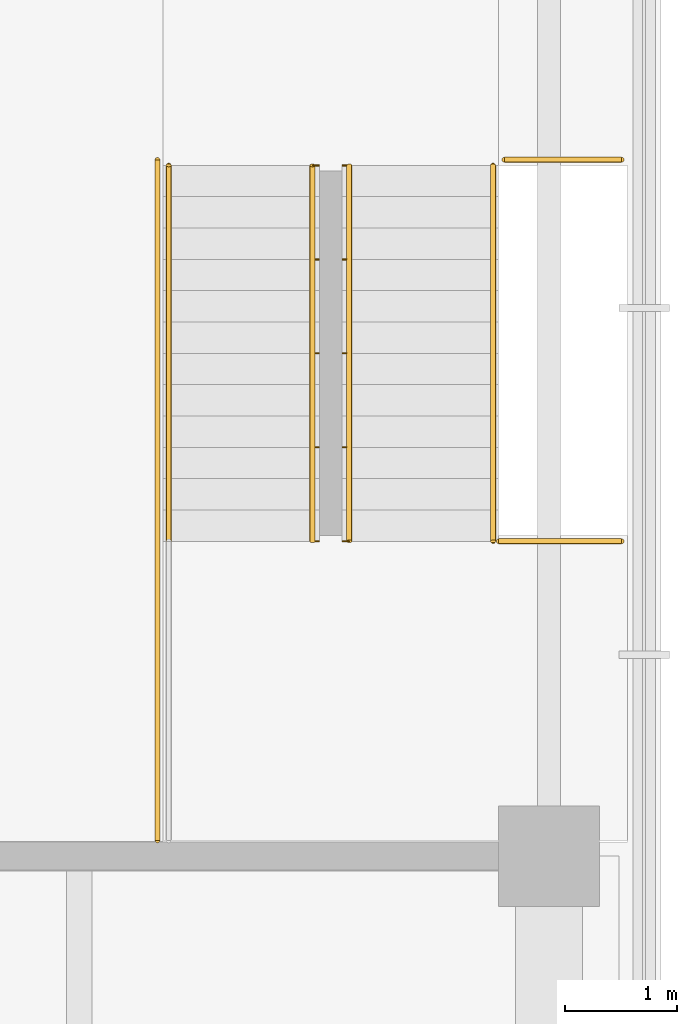
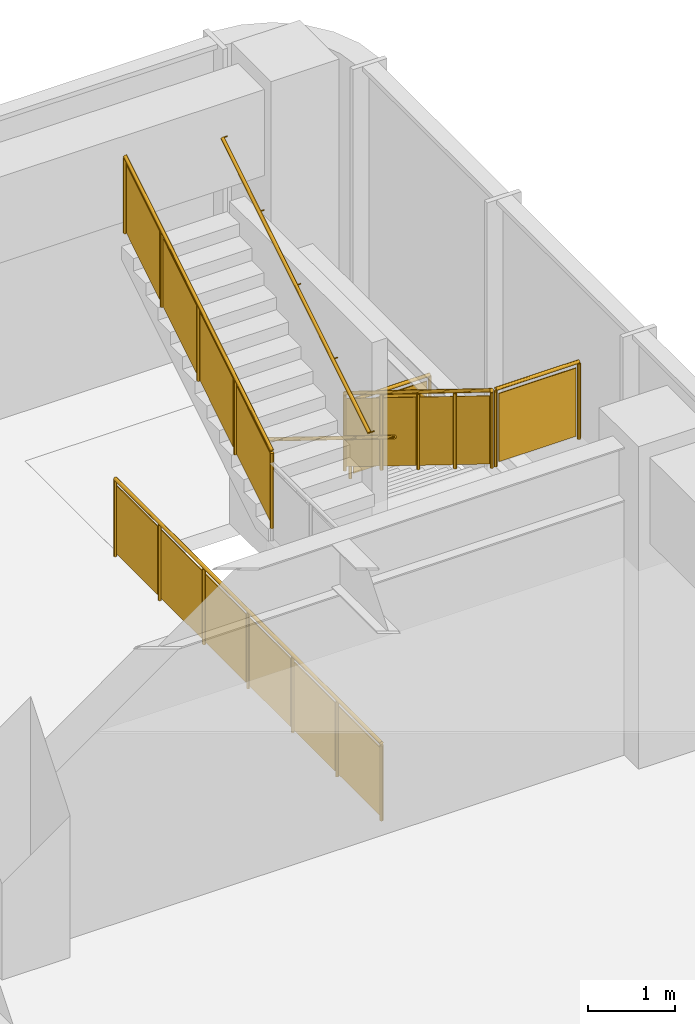
# One storey, part 19 of 19: 7 railings.
"""IFC4 building model written with IfcOpenShell, lengths in metres."""

import ifcopenshell
import ifcopenshell.guid

model = None  # the IFC model being written
_history = None  # IfcOwnerHistory: only IFC2X3 demands one
_inside = {}  # id of a spatial element -> (the spatial element, [elements in it])
_under = {}  # id of a project, library or spatial element -> (it, [spatial elements below it])
_declared = {}  # id of a project -> (the project, [libraries it declares])
_typed = {}  # id of a type object -> (the type object, [elements of that type])
_made_of = {}  # id of a material, layer set ... -> (it, [elements and type objects made of it])


def new_model(schema):
    """Start an empty IFC model of exactly this schema.

    Asked for "IFC4X3", IfcOpenShell would pick the latest addendum, in which some entities
    have other attributes; the version numbers below select the first issue.
    IFC2X3 requires an IfcOwnerHistory on every rooted entity: one is made here for all.
    """
    global model, _history
    if schema == "IFC4X3":
        model = ifcopenshell.file(schema_version=(4, 3, 0, 0))
    else:
        model = ifcopenshell.file(schema=schema)
    _inside.clear()
    _under.clear()
    _declared.clear()
    _typed.clear()
    _made_of.clear()
    _history = None
    if model.schema == "IFC2X3":
        org = make("IfcOrganization", Name="unknown")
        user = make(
            "IfcPersonAndOrganization",
            ThePerson=make("IfcPerson", FamilyName="unknown"),
            TheOrganization=org,
        )
        app = make(
            "IfcApplication",
            ApplicationDeveloper=org,
            Version="unknown",
            ApplicationFullName="unknown",
            ApplicationIdentifier="unknown",
        )
        _history = make(
            "IfcOwnerHistory",
            OwningUser=user,
            OwningApplication=app,
            ChangeAction="ADDED",
            CreationDate=0,
        )
    return model


def make(cls, **values):
    """One entity of the class cls with the attributes given. An attribute that is None is left unset."""
    return model.create_entity(
        cls, **{name: value for name, value in values.items() if value is not None}
    )


def rooted(cls, **values):
    """An entity with a GlobalId (a new one), such as an element, a storey or a relation."""
    return make(cls, GlobalId=ifcopenshell.guid.new(), OwnerHistory=_history, **values)


def si_unit(unit_type, name, prefix=None):
    """IfcSIUnit, for example si_unit("LENGTHUNIT", "METRE", prefix="MILLI")."""
    return make("IfcSIUnit", UnitType=unit_type, Prefix=prefix, Name=name)


def assignment(units):
    """IfcUnitAssignment: the units of a project."""
    return None if units is None else make("IfcUnitAssignment", Units=units)


def point(xyz):
    """IfcCartesianPoint."""
    return None if xyz is None else make("IfcCartesianPoint", Coordinates=xyz)


def direction(xyz):
    """IfcDirection."""
    return None if xyz is None else make("IfcDirection", DirectionRatios=xyz)


def frame(location, z_axis=None, x_axis=None):
    """IfcAxis2Placement3D, a coordinate frame: its origin and axes. An axis left out is left unset."""
    return make(
        "IfcAxis2Placement3D",
        Location=point(location),
        Axis=direction(z_axis),
        RefDirection=direction(x_axis),
    )


def frame_2d(location, x_axis=None):
    """IfcAxis2Placement2D, a coordinate frame in the plane: its origin and x axis."""
    return make(
        "IfcAxis2Placement2D", Location=point(location), RefDirection=direction(x_axis)
    )


def origin():
    """The frame at (0, 0, 0) with its axes left unset."""
    return frame((0.0, 0.0, 0.0))


def origin_2d():
    """The frame at (0, 0) in the plane with its x axis left unset."""
    return frame_2d((0.0, 0.0))


def place(relative_to, where):
    """IfcLocalPlacement: puts the frame where relative to a parent placement (None: the world)."""
    return make(
        "IfcLocalPlacement", PlacementRelTo=relative_to, RelativePlacement=where
    )


def context(
    kind, dimensions, precision=None, world=None, true_north=None, identifier=None
):
    """IfcGeometricRepresentationContext, for example the 3D "Model" context."""
    return make(
        "IfcGeometricRepresentationContext",
        ContextIdentifier=identifier,
        ContextType=kind,
        CoordinateSpaceDimension=dimensions,
        Precision=precision,
        WorldCoordinateSystem=world,
        TrueNorth=true_north,
    )


def subcontext(parent, identifier, kind, view, scale=None):
    """IfcGeometricRepresentationSubContext, for example "Body" below "Model"."""
    return make(
        "IfcGeometricRepresentationSubContext",
        ContextIdentifier=identifier,
        ContextType=kind,
        ParentContext=parent,
        TargetScale=scale,
        TargetView=view,
    )


def project(units=None, contexts=None):
    """IfcProject with its units and contexts."""
    return rooted(
        "IfcProject",
        Name="project",
        RepresentationContexts=contexts,
        UnitsInContext=assignment(units),
    )


def spatial(cls, under=None, at=None, **own):
    """A site, building, storey or space (cls), placed at a placement, below another one or the project."""
    s = rooted(cls, ObjectPlacement=at, **own)
    if under is not None:
        _under.setdefault(under.id(), (under, []))[1].append(s)
    return s


def polyline(points):
    """IfcPolyline through the points."""
    return make("IfcPolyline", Points=[point(p) for p in points])


def profile(cls, at=None, kind="AREA", **sizes):
    """A parametric profile (cls). Its sizes go by their IFC names, for example OverallWidth=200.0."""
    return make(cls, ProfileType=kind, Position=at, **sizes)


def circle(**sizes):
    """IfcCircleProfileDef."""
    return profile("IfcCircleProfileDef", **sizes)


def outline(outer, holes=None, kind="AREA"):
    """IfcArbitraryClosedProfileDef: a profile drawn as a closed curve; with holes, ...WithVoids."""
    if holes is None:
        return make("IfcArbitraryClosedProfileDef", ProfileType=kind, OuterCurve=outer)
    return make(
        "IfcArbitraryProfileDefWithVoids",
        ProfileType=kind,
        OuterCurve=outer,
        InnerCurves=holes,
    )


def extrude(swept, where, along, depth):
    """IfcExtrudedAreaSolid: the profile swept, set in the frame where, extruded along a direction by depth."""
    return make(
        "IfcExtrudedAreaSolid",
        SweptArea=swept,
        Position=where,
        ExtrudedDirection=direction(along),
        Depth=depth,
    )


def shape(context_of_items, identifier, shape_type, items):
    """IfcShapeRepresentation: the items that make up one representation, for example the "Body"."""
    return make(
        "IfcShapeRepresentation",
        ContextOfItems=context_of_items,
        RepresentationIdentifier=identifier,
        RepresentationType=shape_type,
        Items=items,
    )


def material(Name=None, Category=None):
    """IfcMaterial."""
    return make("IfcMaterial", Name=Name, Category=Category)


def made_of(thing, what):
    """Note that an element or type object is made of a material, layer set ...; save() writes the relation."""
    if what is not None:
        _made_of.setdefault(what.id(), (what, []))[1].append(thing)
    return thing


def type_object(cls, material=None, **own):
    """A type object (cls), such as IfcWallType, which elements share."""
    return made_of(rooted(cls, **own), material)


def element(
    cls,
    number,
    at=None,
    inside=None,
    cuts=None,
    type_object=None,
    material=None,
    context=None,
    identifier="Body",
    shape_type=None,
    held_by="IfcProductDefinitionShape",
    body=None,
    shapes=None,
    **own,
):
    """One element of the class cls, such as IfcWall. Its Tag is "e" and its number.

    at: its placement. inside: the storey or other place that contains it. cuts: it is an
    opening in that element (IfcRelVoidsElement). A single representation is given by context,
    identifier, shape_type and body (its items); several are given by shapes. held_by: the class
    of the entity that holds the representations. save() writes the other relations.
    """
    e = rooted(cls, Tag="e%d" % number, ObjectPlacement=at, **own)
    if body is not None:
        shapes = [shape(context, identifier, shape_type, body)]
    if shapes is not None:
        e.Representation = make(held_by, Representations=shapes)
    if inside is not None:
        _inside.setdefault(inside.id(), (inside, []))[1].append(e)
    if cuts is not None:
        rooted(
            "IfcRelVoidsElement", RelatingBuildingElement=cuts, RelatedOpeningElement=e
        )
    if type_object is not None:
        _typed.setdefault(type_object.id(), (type_object, []))[1].append(e)
    return made_of(e, material)


def aggregate(whole, parts):
    """IfcRelAggregates: a whole, such as a stair, and the parts it consists of."""
    return rooted("IfcRelAggregates", RelatingObject=whole, RelatedObjects=parts)


def save(model, path):
    """Write the relations noted so far, then the file.

    IfcRelAggregates (storeys below a building ...), IfcRelContainedInSpatialStructure (elements
    in a storey), IfcRelDefinesByType, IfcRelAssociatesMaterial and IfcRelDeclares: one each for
    every whole, place, type object, material and project.
    """
    for whole, parts in _under.values():
        aggregate(whole, parts)
    for where, things in _inside.values():
        rooted(
            "IfcRelContainedInSpatialStructure",
            RelatedElements=things,
            RelatingStructure=where,
        )
    for kind, things in _typed.values():
        rooted("IfcRelDefinesByType", RelatedObjects=things, RelatingType=kind)
    for what, things in _made_of.values():
        rooted("IfcRelAssociatesMaterial", RelatedObjects=things, RelatingMaterial=what)
    for by, libraries in _declared.values():
        rooted("IfcRelDeclares", RelatingContext=by, RelatedDefinitions=libraries)
    model.write(path)


model = new_model("IFC4")

# Units and contexts
model_context = context("Model", 3, precision=1e-05, world=origin(), true_north=direction((0.0, 1.0)))
body_context = subcontext(model_context, "Body", "Model", "MODEL_VIEW")
ifc_project = project(units=[si_unit("LENGTHUNIT", "METRE"), si_unit("AREAUNIT", "SQUARE_METRE"), si_unit("VOLUMEUNIT", "CUBIC_METRE"), si_unit("PLANEANGLEUNIT", "RADIAN"), si_unit("MASSUNIT", "GRAM", prefix="KILO")], contexts=[model_context])

# Site, building, storey
site_placement = place(None, origin())
site = spatial("IfcSite", under=ifc_project, at=site_placement, CompositionType="ELEMENT")
building_placement = place(site_placement, origin())
building = spatial("IfcBuilding", under=site, at=building_placement, Name="Torre Alcanfor", CompositionType="ELEMENT")
storey_placement = place(building_placement, frame((0.0, 0.0, 15.0)))
storey = spatial("IfcBuildingStorey", under=building, at=storey_placement, Name="L03", CompositionType="ELEMENT", Elevation=15.0)

# Railings
ifc_material_1 = material(Name="Steel ASTM A500 Grade C hollow sections", Category="steel")
railing_type_1 = type_object("IfcRailingType", Name="Stair guard and handrail 1100", PredefinedType="GUARDRAIL", material=ifc_material_1)
railing_1_placement = place(storey_placement, frame((55.300048828125, 56.625, 0.0)))
element("IfcRailing", 1, at=railing_1_placement, inside=storey, type_object=railing_type_1, Name="Stair well guard SS4 L03 door side", PredefinedType="GUARDRAIL", context=body_context, shape_type="SweptSolid", body=[
    extrude(circle(Radius=0.02392578125, at=origin_2d()), frame((0.0, 0.0, 1.076171875), z_axis=(0.0, -1.0, 0.0), x_axis=(1.0, 0.0, 0.0)), (0.0, 0.0, 1.0), 6.0849609375),
    extrude(circle(Radius=0.02099609375, at=origin_2d()), origin(), (0.0, 0.0, 1.0), 1.052001953125),
    extrude(circle(Radius=0.02099609375, at=origin_2d()), frame((0.0, -1.01416015625, 0.0)), (0.0, 0.0, 1.0), 1.052001953125),
    extrude(circle(Radius=0.02099609375, at=origin_2d()), frame((0.0, -2.0283203125, 0.0)), (0.0, 0.0, 1.0), 1.052001953125),
    extrude(circle(Radius=0.02099609375, at=origin_2d()), frame((0.0, -3.04248046875, 0.0)), (0.0, 0.0, 1.0), 1.052001953125),
    extrude(circle(Radius=0.02099609375, at=origin_2d()), frame((0.0, -4.056640625, 0.0)), (0.0, 0.0, 1.0), 1.052001953125),
    extrude(circle(Radius=0.02099609375, at=origin_2d()), frame((0.0, -5.07080078125, 0.0)), (0.0, 0.0, 1.0), 1.052001953125),
    extrude(circle(Radius=0.02099609375, at=origin_2d()), frame((0.0, -6.0849609375, 0.0)), (0.0, 0.0, 1.0), 1.052001953125),
    extrude(outline(polyline([(0.041015625, 0.050048828125), (0.97314453125, 0.050048828125), (0.97314453125, 1.001953125), (0.041015625, 1.001953125), (0.041015625, 0.050048828125)])), frame((0.005859375, 0.0, 0.0), z_axis=(-1.0, 0.0, 0.0), x_axis=(0.0, -1.0, 0.0)), (0.0, 0.0, 1.0), 0.011962890625),
    extrude(outline(polyline([(1.05517578125, 0.050048828125), (1.9873046875, 0.050048828125), (1.9873046875, 1.001953125), (1.05517578125, 1.001953125), (1.05517578125, 0.050048828125)])), frame((0.005859375, 0.0, 0.0), z_axis=(-1.0, 0.0, 0.0), x_axis=(0.0, -1.0, 0.0)), (0.0, 0.0, 1.0), 0.011962890625),
    extrude(outline(polyline([(2.0693359375, 0.050048828125), (3.00146484375, 0.050048828125), (3.00146484375, 1.001953125), (2.0693359375, 1.001953125), (2.0693359375, 0.050048828125)])), frame((0.005859375, 0.0, 0.0), z_axis=(-1.0, 0.0, 0.0), x_axis=(0.0, -1.0, 0.0)), (0.0, 0.0, 1.0), 0.011962890625),
    extrude(outline(polyline([(3.08349609375, 0.050048828125), (4.015625, 0.050048828125), (4.015625, 1.001953125), (3.08349609375, 1.001953125), (3.08349609375, 0.050048828125)])), frame((0.005859375, 0.0, 0.0), z_axis=(-1.0, 0.0, 0.0), x_axis=(0.0, -1.0, 0.0)), (0.0, 0.0, 1.0), 0.011962890625),
    extrude(outline(polyline([(4.09765625, 0.050048828125), (5.02978515625, 0.050048828125), (5.02978515625, 1.001953125), (4.09765625, 1.001953125), (4.09765625, 0.050048828125)])), frame((0.005859375, 0.0, 0.0), z_axis=(-1.0, 0.0, 0.0), x_axis=(0.0, -1.0, 0.0)), (0.0, 0.0, 1.0), 0.011962890625),
    extrude(outline(polyline([(5.11181640625, 0.050048828125), (6.0439453125, 0.050048828125), (6.0439453125, 1.001953125), (5.11181640625, 1.001953125), (5.11181640625, 0.050048828125)])), frame((0.005859375, 0.0, 0.0), z_axis=(-1.0, 0.0, 0.0), x_axis=(0.0, -1.0, 0.0)), (0.0, 0.0, 1.0), 0.011962890625),
])
railing_2_placement = place(storey_placement, frame((59.449951171875, 56.625, 0.0)))
element("IfcRailing", 2, at=railing_2_placement, inside=storey, type_object=railing_type_1, Name="Stair well guard SS4 L03 facade strip", PredefinedType="GUARDRAIL", context=body_context, shape_type="SweptSolid", body=[
    extrude(circle(Radius=0.02392578125, at=origin_2d()), frame((0.0, 0.0, 1.076171875), z_axis=(-1.0, 0.0, 0.0), x_axis=(0.0, -1.0, 0.0)), (0.0, 0.0, 1.0), 1.050048828125),
    extrude(circle(Radius=0.02099609375, at=origin_2d()), origin(), (0.0, 0.0, 1.0), 1.052001953125),
    extrude(circle(Radius=0.02099609375, at=origin_2d()), frame((-1.050048828125, 0.0, 0.0)), (0.0, 0.0, 1.0), 1.052001953125),
    extrude(outline(polyline([(0.041015625, 0.050048828125), (1.009033203125, 0.050048828125), (1.009033203125, 1.001953125), (0.041015625, 1.001953125), (0.041015625, 0.050048828125)])), frame((0.0, -0.005859375, 0.0), z_axis=(0.0, 1.0, 0.0), x_axis=(-1.0, 0.0, 0.0)), (0.0, 0.0, 1.0), 0.011962890625),
])
railing_3_placement = place(storey_placement, frame((58.300048828125, 56.574951171875, 0.173095703125)))
element("IfcRailing", 3, at=railing_3_placement, inside=storey, type_object=railing_type_1, Name="Stair guard SS4 L03 flight 1", PredefinedType="GUARDRAIL", context=body_context, shape_type="SweptSolid", body=[
    extrude(circle(Radius=0.02392578125, at=origin_2d()), frame((0.0, 0.0, 1.076171875), z_axis=(0.0, -0.850606129759, 0.525803396734), x_axis=(1.0, 0.0, 0.0)), (0.0, 0.0, 1.0), 3.949951171875),
    extrude(circle(Radius=0.02099609375, at=origin_2d()), origin(), (0.0, 0.0, 1.0), 1.052001953125),
    extrude(circle(Radius=0.02099609375, at=origin_2d()), frame((0.0, -0.83984375, 0.519287109375)), (0.0, 0.0, 1.0), 1.052001953125),
    extrude(circle(Radius=0.02099609375, at=origin_2d()), frame((0.0, -1.679931640625, 1.03857421875)), (0.0, 0.0, 1.0), 1.052001953125),
    extrude(circle(Radius=0.02099609375, at=origin_2d()), frame((0.0, -2.52001953125, 1.5576171875)), (0.0, 0.0, 1.0), 1.052001953125),
    extrude(circle(Radius=0.02099609375, at=origin_2d()), frame((0.0, -3.35986328125, 2.076904296875)), (0.0, 0.0, 1.0), 1.052001953125),
    extrude(outline(polyline([(0.041015625, 0.075439453125), (0.799072265625, 0.5439453125), (0.799072265625, 1.495849609375), (0.041015625, 1.02734375), (0.041015625, 0.075439453125)])), frame((0.005859375, 0.0, 0.0), z_axis=(-1.0, 0.0, 0.0), x_axis=(0.0, -1.0, 0.0)), (0.0, 0.0, 1.0), 0.011962890625),
    extrude(outline(polyline([(0.880859375, 0.594482421875), (1.638916015625, 1.06298828125), (1.638916015625, 2.01513671875), (0.880859375, 1.546630859375), (0.880859375, 0.594482421875)])), frame((0.005859375, 0.0, 0.0), z_axis=(-1.0, 0.0, 0.0), x_axis=(0.0, -1.0, 0.0)), (0.0, 0.0, 1.0), 0.011962890625),
    extrude(outline(polyline([(1.720947265625, 1.11376953125), (2.47900390625, 1.582275390625), (2.47900390625, 2.534423828125), (1.720947265625, 2.06591796875), (1.720947265625, 1.11376953125)])), frame((0.005859375, 0.0, 0.0), z_axis=(-1.0, 0.0, 0.0), x_axis=(0.0, -1.0, 0.0)), (0.0, 0.0, 1.0), 0.011962890625),
    extrude(outline(polyline([(2.560791015625, 1.633056640625), (3.31884765625, 2.1015625), (3.31884765625, 3.053466796875), (2.560791015625, 2.5849609375), (2.560791015625, 1.633056640625)])), frame((0.005859375, 0.0, 0.0), z_axis=(-1.0, 0.0, 0.0), x_axis=(0.0, -1.0, 0.0)), (0.0, 0.0, 1.0), 0.011962890625),
])
railing_4_placement = place(storey_placement, frame((55.39990234375, 53.215087890625, 2.423095703125)))
element("IfcRailing", 4, at=railing_4_placement, inside=storey, type_object=railing_type_1, Name="Stair guard SS4 L03 flight 2", PredefinedType="GUARDRAIL", context=body_context, shape_type="SweptSolid", body=[
    extrude(circle(Radius=0.02392578125, at=origin_2d()), frame((0.0, 0.0, 1.076171875), z_axis=(0.0, 0.850606129759, 0.525803396734), x_axis=(-1.0, 0.0, 0.0)), (0.0, 0.0, 1.0), 3.949951171875),
    extrude(circle(Radius=0.02099609375, at=origin_2d()), origin(), (0.0, 0.0, 1.0), 1.052001953125),
    extrude(circle(Radius=0.02099609375, at=origin_2d()), frame((0.0, 0.83984375, 0.519287109375)), (0.0, 0.0, 1.0), 1.052001953125),
    extrude(circle(Radius=0.02099609375, at=origin_2d()), frame((0.0, 1.679931640625, 1.03857421875)), (0.0, 0.0, 1.0), 1.052001953125),
    extrude(circle(Radius=0.02099609375, at=origin_2d()), frame((0.0, 2.52001953125, 1.5576171875)), (0.0, 0.0, 1.0), 1.052001953125),
    extrude(circle(Radius=0.02099609375, at=origin_2d()), frame((0.0, 3.35986328125, 2.076904296875)), (0.0, 0.0, 1.0), 1.052001953125),
    extrude(outline(polyline([(0.041015625, 0.075439453125), (0.799072265625, 0.5439453125), (0.799072265625, 1.495849609375), (0.041015625, 1.02734375), (0.041015625, 0.075439453125)])), frame((-0.005859375, 0.0, 0.0), z_axis=(1.0, 0.0, 0.0), x_axis=(0.0, 1.0, 0.0)), (0.0, 0.0, 1.0), 0.011962890625),
    extrude(outline(polyline([(0.880859375, 0.594482421875), (1.638916015625, 1.06298828125), (1.638916015625, 2.01513671875), (0.880859375, 1.546630859375), (0.880859375, 0.594482421875)])), frame((-0.005859375, 0.0, 0.0), z_axis=(1.0, 0.0, 0.0), x_axis=(0.0, 1.0, 0.0)), (0.0, 0.0, 1.0), 0.011962890625),
    extrude(outline(polyline([(1.720947265625, 1.11376953125), (2.47900390625, 1.582275390625), (2.47900390625, 2.534423828125), (1.720947265625, 2.06591796875), (1.720947265625, 1.11376953125)])), frame((-0.005859375, 0.0, 0.0), z_axis=(1.0, 0.0, 0.0), x_axis=(0.0, 1.0, 0.0)), (0.0, 0.0, 1.0), 0.011962890625),
    extrude(outline(polyline([(2.560791015625, 1.633056640625), (3.31884765625, 2.1015625), (3.31884765625, 3.053466796875), (2.560791015625, 2.5849609375), (2.560791015625, 1.633056640625)])), frame((-0.005859375, 0.0, 0.0), z_axis=(1.0, 0.0, 0.0), x_axis=(0.0, 1.0, 0.0)), (0.0, 0.0, 1.0), 0.011962890625),
])
railing_5_placement = place(storey_placement, frame((59.449951171875, 53.215087890625, 2.25)))
element("IfcRailing", 5, at=railing_5_placement, inside=storey, type_object=railing_type_1, Name="Stair guard SS4 L03 half landing facade strip", PredefinedType="GUARDRAIL", context=body_context, shape_type="SweptSolid", body=[
    extrude(circle(Radius=0.02392578125, at=origin_2d()), frame((0.0, 0.0, 1.076171875), z_axis=(-1.0, 0.0, 0.0), x_axis=(0.0, -1.0, 0.0)), (0.0, 0.0, 1.0), 1.099853515625),
    extrude(circle(Radius=0.02099609375, at=origin_2d()), origin(), (0.0, 0.0, 1.0), 1.052001953125),
    extrude(circle(Radius=0.02099609375, at=origin_2d()), frame((-1.099853515625, 0.0, 0.0)), (0.0, 0.0, 1.0), 1.052001953125),
    extrude(outline(polyline([(0.041015625, 0.050048828125), (1.058837890625, 0.050048828125), (1.058837890625, 1.001953125), (0.041015625, 1.001953125), (0.041015625, 0.050048828125)])), frame((0.0, -0.005859375, 0.0), z_axis=(0.0, 1.0, 0.0), x_axis=(-1.0, 0.0, 0.0)), (0.0, 0.0, 1.0), 0.011962890625),
])
ifc_material_2 = material(Name="Steel ASTM A500 Grade C hollow sections", Category="steel")
railing_type_2 = type_object("IfcRailingType", Name="Stair wall handrail 900", PredefinedType="HANDRAIL", material=ifc_material_2)
railing_6_placement = place(storey_placement, frame((57.014892578125, 56.574951171875, 0.173095703125)))
element("IfcRailing", 6, at=railing_6_placement, inside=storey, type_object=railing_type_2, Name="Stair handrail SS4 L03 flight 1", PredefinedType="HANDRAIL", context=body_context, shape_type="SweptSolid", body=[
    extrude(circle(Radius=0.02392578125, at=origin_2d()), frame((0.0, 0.0, 0.8759765625), z_axis=(0.0, -0.850606129759, 0.525803396734), x_axis=(1.0, 0.0, 0.0)), (0.0, 0.0, 1.0), 3.949951171875),
    extrude(circle(Radius=0.008056640625, at=origin_2d()), frame((0.0, 0.0, 0.8759765625), z_axis=(-1.0, 0.0, 0.0), x_axis=(0.0, 0.0, 1.0)), (0.0, 0.0, 1.0), 0.06494140625),
    extrude(circle(Radius=0.008056640625, at=origin_2d()), frame((0.0, -0.83984375, 1.39501953125), z_axis=(-1.0, 0.0, 0.0), x_axis=(0.0, 0.0, 1.0)), (0.0, 0.0, 1.0), 0.06494140625),
    extrude(circle(Radius=0.008056640625, at=origin_2d()), frame((0.0, -1.679931640625, 1.914306640625), z_axis=(-1.0, 0.0, 0.0), x_axis=(0.0, 0.0, 1.0)), (0.0, 0.0, 1.0), 0.06494140625),
    extrude(circle(Radius=0.008056640625, at=origin_2d()), frame((0.0, -2.52001953125, 2.43359375), z_axis=(-1.0, 0.0, 0.0), x_axis=(0.0, 0.0, 1.0)), (0.0, 0.0, 1.0), 0.06494140625),
    extrude(circle(Radius=0.008056640625, at=origin_2d()), frame((0.0, -3.35986328125, 2.95263671875), z_axis=(-1.0, 0.0, 0.0), x_axis=(0.0, 0.0, 1.0)), (0.0, 0.0, 1.0), 0.06494140625),
])
railing_7_placement = place(storey_placement, frame((56.68505859375, 53.215087890625, 2.423095703125)))
element("IfcRailing", 7, at=railing_7_placement, inside=storey, type_object=railing_type_2, Name="Stair handrail SS4 L03 flight 2", PredefinedType="HANDRAIL", context=body_context, shape_type="SweptSolid", body=[
    extrude(circle(Radius=0.02392578125, at=origin_2d()), frame((0.0, 0.0, 0.8759765625), z_axis=(0.0, 0.850606129759, 0.525803396734), x_axis=(-1.0, 0.0, 0.0)), (0.0, 0.0, 1.0), 3.949951171875),
    extrude(circle(Radius=0.008056640625, at=origin_2d()), frame((0.0, 0.0, 0.8759765625), z_axis=(1.0, 0.0, 0.0), x_axis=(0.0, 0.0, 1.0)), (0.0, 0.0, 1.0), 0.06494140625),
    extrude(circle(Radius=0.008056640625, at=origin_2d()), frame((0.0, 0.83984375, 1.39501953125), z_axis=(1.0, 0.0, 0.0), x_axis=(0.0, 0.0, 1.0)), (0.0, 0.0, 1.0), 0.06494140625),
    extrude(circle(Radius=0.008056640625, at=origin_2d()), frame((0.0, 1.679931640625, 1.914306640625), z_axis=(1.0, 0.0, 0.0), x_axis=(0.0, 0.0, 1.0)), (0.0, 0.0, 1.0), 0.06494140625),
    extrude(circle(Radius=0.008056640625, at=origin_2d()), frame((0.0, 2.52001953125, 2.43359375), z_axis=(1.0, 0.0, 0.0), x_axis=(0.0, 0.0, 1.0)), (0.0, 0.0, 1.0), 0.06494140625),
    extrude(circle(Radius=0.008056640625, at=origin_2d()), frame((0.0, 3.35986328125, 2.95263671875), z_axis=(1.0, 0.0, 0.0), x_axis=(0.0, 0.0, 1.0)), (0.0, 0.0, 1.0), 0.06494140625),
])

save(model, "model.ifc")
